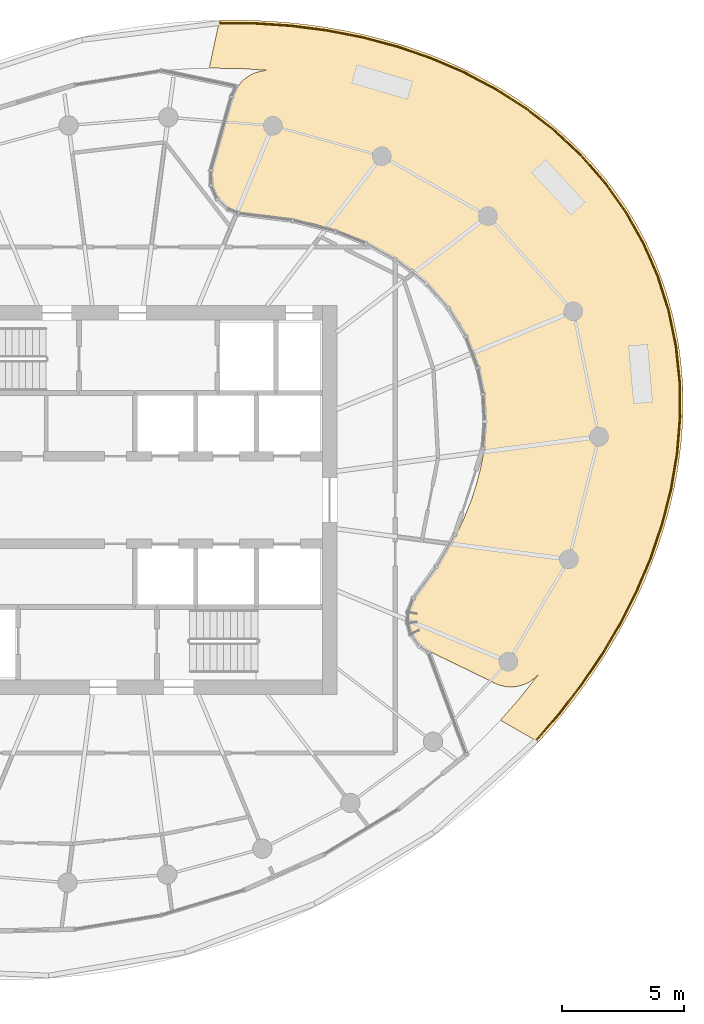
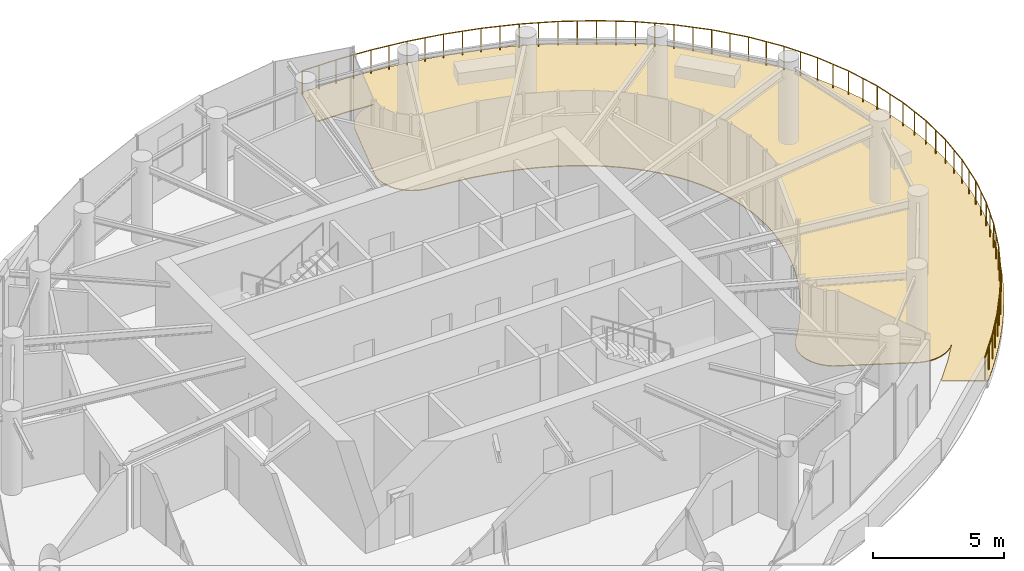
# One storey, part 18 of 19: 1 covering, 1 railing.
"""IFC4 building model written with IfcOpenShell, lengths in metres."""

import ifcopenshell
import ifcopenshell.guid

model = None  # the IFC model being written
_history = None  # IfcOwnerHistory: only IFC2X3 demands one
_inside = {}  # id of a spatial element -> (the spatial element, [elements in it])
_under = {}  # id of a project, library or spatial element -> (it, [spatial elements below it])
_declared = {}  # id of a project -> (the project, [libraries it declares])
_typed = {}  # id of a type object -> (the type object, [elements of that type])
_made_of = {}  # id of a material, layer set ... -> (it, [elements and type objects made of it])


def new_model(schema):
    """Start an empty IFC model of exactly this schema.

    Asked for "IFC4X3", IfcOpenShell would pick the latest addendum, in which some entities
    have other attributes; the version numbers below select the first issue.
    IFC2X3 requires an IfcOwnerHistory on every rooted entity: one is made here for all.
    """
    global model, _history
    if schema == "IFC4X3":
        model = ifcopenshell.file(schema_version=(4, 3, 0, 0))
    else:
        model = ifcopenshell.file(schema=schema)
    _inside.clear()
    _under.clear()
    _declared.clear()
    _typed.clear()
    _made_of.clear()
    _history = None
    if model.schema == "IFC2X3":
        org = make("IfcOrganization", Name="unknown")
        user = make(
            "IfcPersonAndOrganization",
            ThePerson=make("IfcPerson", FamilyName="unknown"),
            TheOrganization=org,
        )
        app = make(
            "IfcApplication",
            ApplicationDeveloper=org,
            Version="unknown",
            ApplicationFullName="unknown",
            ApplicationIdentifier="unknown",
        )
        _history = make(
            "IfcOwnerHistory",
            OwningUser=user,
            OwningApplication=app,
            ChangeAction="ADDED",
            CreationDate=0,
        )
    return model


def make(cls, **values):
    """One entity of the class cls with the attributes given. An attribute that is None is left unset."""
    return model.create_entity(
        cls, **{name: value for name, value in values.items() if value is not None}
    )


def rooted(cls, **values):
    """An entity with a GlobalId (a new one), such as an element, a storey or a relation."""
    return make(cls, GlobalId=ifcopenshell.guid.new(), OwnerHistory=_history, **values)


def si_unit(unit_type, name, prefix=None):
    """IfcSIUnit, for example si_unit("LENGTHUNIT", "METRE", prefix="MILLI")."""
    return make("IfcSIUnit", UnitType=unit_type, Prefix=prefix, Name=name)


def assignment(units):
    """IfcUnitAssignment: the units of a project."""
    return None if units is None else make("IfcUnitAssignment", Units=units)


def point(xyz):
    """IfcCartesianPoint."""
    return None if xyz is None else make("IfcCartesianPoint", Coordinates=xyz)


def direction(xyz):
    """IfcDirection."""
    return None if xyz is None else make("IfcDirection", DirectionRatios=xyz)


def frame(location, z_axis=None, x_axis=None):
    """IfcAxis2Placement3D, a coordinate frame: its origin and axes. An axis left out is left unset."""
    return make(
        "IfcAxis2Placement3D",
        Location=point(location),
        Axis=direction(z_axis),
        RefDirection=direction(x_axis),
    )


def frame_2d(location, x_axis=None):
    """IfcAxis2Placement2D, a coordinate frame in the plane: its origin and x axis."""
    return make(
        "IfcAxis2Placement2D", Location=point(location), RefDirection=direction(x_axis)
    )


def origin():
    """The frame at (0, 0, 0) with its axes left unset."""
    return frame((0.0, 0.0, 0.0))


def origin_2d():
    """The frame at (0, 0) in the plane with its x axis left unset."""
    return frame_2d((0.0, 0.0))


def place(relative_to, where):
    """IfcLocalPlacement: puts the frame where relative to a parent placement (None: the world)."""
    return make(
        "IfcLocalPlacement", PlacementRelTo=relative_to, RelativePlacement=where
    )


def context(
    kind, dimensions, precision=None, world=None, true_north=None, identifier=None
):
    """IfcGeometricRepresentationContext, for example the 3D "Model" context."""
    return make(
        "IfcGeometricRepresentationContext",
        ContextIdentifier=identifier,
        ContextType=kind,
        CoordinateSpaceDimension=dimensions,
        Precision=precision,
        WorldCoordinateSystem=world,
        TrueNorth=true_north,
    )


def subcontext(parent, identifier, kind, view, scale=None):
    """IfcGeometricRepresentationSubContext, for example "Body" below "Model"."""
    return make(
        "IfcGeometricRepresentationSubContext",
        ContextIdentifier=identifier,
        ContextType=kind,
        ParentContext=parent,
        TargetScale=scale,
        TargetView=view,
    )


def project(units=None, contexts=None):
    """IfcProject with its units and contexts."""
    return rooted(
        "IfcProject",
        Name="project",
        RepresentationContexts=contexts,
        UnitsInContext=assignment(units),
    )


def spatial(cls, under=None, at=None, **own):
    """A site, building, storey or space (cls), placed at a placement, below another one or the project."""
    s = rooted(cls, ObjectPlacement=at, **own)
    if under is not None:
        _under.setdefault(under.id(), (under, []))[1].append(s)
    return s


def point_list(points):
    """IfcCartesianPointList2D or 3D."""
    cls = (
        "IfcCartesianPointList2D" if len(points[0]) == 2 else "IfcCartesianPointList3D"
    )
    return make(cls, CoordList=points)


def line(*indices):
    """IfcLineIndex: a straight run through numbered points of an indexed curve."""
    return model.create_entity("IfcLineIndex", indices)


def indexed_curve(points, segments=None, self_intersect=None):
    """IfcIndexedPolyCurve: lines and arcs through numbered points (the first is 1)."""
    return make(
        "IfcIndexedPolyCurve",
        Points=point_list(points),
        Segments=segments,
        SelfIntersect=self_intersect,
    )


def profile(cls, at=None, kind="AREA", **sizes):
    """A parametric profile (cls). Its sizes go by their IFC names, for example OverallWidth=200.0."""
    return make(cls, ProfileType=kind, Position=at, **sizes)


def circle(**sizes):
    """IfcCircleProfileDef."""
    return profile("IfcCircleProfileDef", **sizes)


def outline(outer, holes=None, kind="AREA"):
    """IfcArbitraryClosedProfileDef: a profile drawn as a closed curve; with holes, ...WithVoids."""
    if holes is None:
        return make("IfcArbitraryClosedProfileDef", ProfileType=kind, OuterCurve=outer)
    return make(
        "IfcArbitraryProfileDefWithVoids",
        ProfileType=kind,
        OuterCurve=outer,
        InnerCurves=holes,
    )


def extrude(swept, where, along, depth):
    """IfcExtrudedAreaSolid: the profile swept, set in the frame where, extruded along a direction by depth."""
    return make(
        "IfcExtrudedAreaSolid",
        SweptArea=swept,
        Position=where,
        ExtrudedDirection=direction(along),
        Depth=depth,
    )


def shape(context_of_items, identifier, shape_type, items):
    """IfcShapeRepresentation: the items that make up one representation, for example the "Body"."""
    return make(
        "IfcShapeRepresentation",
        ContextOfItems=context_of_items,
        RepresentationIdentifier=identifier,
        RepresentationType=shape_type,
        Items=items,
    )


def material(Name=None, Category=None):
    """IfcMaterial."""
    return make("IfcMaterial", Name=Name, Category=Category)


def layer(
    of_material, thickness, ventilated=None, Name=None, Category=None, Priority=None
):
    """IfcMaterialLayer: one layer of a wall or slab, of a material (None: an air gap)."""
    return make(
        "IfcMaterialLayer",
        Material=of_material,
        LayerThickness=thickness,
        IsVentilated=ventilated,
        Name=Name,
        Category=Category,
        Priority=Priority,
    )


def layer_set(layers, Name=None):
    """IfcMaterialLayerSet."""
    return make("IfcMaterialLayerSet", MaterialLayers=layers, LayerSetName=Name)


def made_of(thing, what):
    """Note that an element or type object is made of a material, layer set ...; save() writes the relation."""
    if what is not None:
        _made_of.setdefault(what.id(), (what, []))[1].append(thing)
    return thing


def type_object(cls, material=None, **own):
    """A type object (cls), such as IfcWallType, which elements share."""
    return made_of(rooted(cls, **own), material)


def element(
    cls,
    number,
    at=None,
    inside=None,
    cuts=None,
    type_object=None,
    material=None,
    context=None,
    identifier="Body",
    shape_type=None,
    held_by="IfcProductDefinitionShape",
    body=None,
    shapes=None,
    **own,
):
    """One element of the class cls, such as IfcWall. Its Tag is "e" and its number.

    at: its placement. inside: the storey or other place that contains it. cuts: it is an
    opening in that element (IfcRelVoidsElement). A single representation is given by context,
    identifier, shape_type and body (its items); several are given by shapes. held_by: the class
    of the entity that holds the representations. save() writes the other relations.
    """
    e = rooted(cls, Tag="e%d" % number, ObjectPlacement=at, **own)
    if body is not None:
        shapes = [shape(context, identifier, shape_type, body)]
    if shapes is not None:
        e.Representation = make(held_by, Representations=shapes)
    if inside is not None:
        _inside.setdefault(inside.id(), (inside, []))[1].append(e)
    if cuts is not None:
        rooted(
            "IfcRelVoidsElement", RelatingBuildingElement=cuts, RelatedOpeningElement=e
        )
    if type_object is not None:
        _typed.setdefault(type_object.id(), (type_object, []))[1].append(e)
    return made_of(e, material)


def aggregate(whole, parts):
    """IfcRelAggregates: a whole, such as a stair, and the parts it consists of."""
    return rooted("IfcRelAggregates", RelatingObject=whole, RelatedObjects=parts)


def save(model, path):
    """Write the relations noted so far, then the file.

    IfcRelAggregates (storeys below a building ...), IfcRelContainedInSpatialStructure (elements
    in a storey), IfcRelDefinesByType, IfcRelAssociatesMaterial and IfcRelDeclares: one each for
    every whole, place, type object, material and project.
    """
    for whole, parts in _under.values():
        aggregate(whole, parts)
    for where, things in _inside.values():
        rooted(
            "IfcRelContainedInSpatialStructure",
            RelatedElements=things,
            RelatingStructure=where,
        )
    for kind, things in _typed.values():
        rooted("IfcRelDefinesByType", RelatedObjects=things, RelatingType=kind)
    for what, things in _made_of.values():
        rooted("IfcRelAssociatesMaterial", RelatedObjects=things, RelatingMaterial=what)
    for by, libraries in _declared.values():
        rooted("IfcRelDeclares", RelatingContext=by, RelatedDefinitions=libraries)
    model.write(path)


model = new_model("IFC4")

# Units and contexts
model_context = context("Model", 3, precision=1e-05, world=origin(), true_north=direction((0.0, 1.0)))
body_context = subcontext(model_context, "Body", "Model", "MODEL_VIEW")
ifc_project = project(units=[si_unit("LENGTHUNIT", "METRE"), si_unit("AREAUNIT", "SQUARE_METRE"), si_unit("VOLUMEUNIT", "CUBIC_METRE"), si_unit("PLANEANGLEUNIT", "RADIAN"), si_unit("MASSUNIT", "GRAM", prefix="KILO")], contexts=[model_context])

# Site, building, storey
site_placement = place(None, origin())
site = spatial("IfcSite", under=ifc_project, at=site_placement, CompositionType="ELEMENT")
building_placement = place(site_placement, origin())
building = spatial("IfcBuilding", under=site, at=building_placement, Name="Spindrift Exchange Tower", CompositionType="ELEMENT")
storey_placement = place(building_placement, frame((0.0, 0.0, 234.5)))
storey = spatial("IfcBuildingStorey", under=building, at=storey_placement, Name="L57", CompositionType="ELEMENT", Elevation=234.5)

# Covering
ifc_material_1 = material(Name="Hardwood timber decking on pedestals", Category="wood")
ifc_layer = layer(ifc_material_1, 0.0400390625)
ifc_layer_set = layer_set([ifc_layer], Name="TERRACE DECKING 40")
covering_type = type_object("IfcCoveringType", Name="TERRACE DECKING 40", PredefinedType="FLOORING", material=ifc_layer_set)
covering_placement = place(storey_placement, origin())
element("IfcCovering", 1, at=covering_placement, inside=storey, type_object=covering_type, Name="L57 Terrace Decking 1", PredefinedType="FLOORING", context=body_context, shape_type="SweptSolid", body=[
    extrude(outline(indexed_curve([(58.263671875, 65.6533203125), (57.001953125, 65.736328125), (55.8125, 65.751953125), (55.77734375, 65.765625), (55.763671875, 65.8115234375), (56.1728515625, 67.7109375), (56.20703125, 67.7255859375), (56.693359375, 67.73046875), (57.4423828125, 67.71875), (58.19140625, 67.6865234375), (58.9375, 67.630859375), (59.6826171875, 67.552734375), (60.4248046875, 67.4521484375), (61.5322265625, 67.255859375), (62.263671875, 67.09375), (62.98828125, 66.908203125), (64.064453125, 66.580078125), (64.7705078125, 66.330078125), (65.4658203125, 66.052734375), (66.4892578125, 65.5869140625), (67.154296875, 65.2421875), (67.8046875, 64.8701171875), (68.4384765625, 64.470703125), (69.052734375, 64.0439453125), (69.6494140625, 63.5888671875), (70.22265625, 63.107421875), (71.0390625, 62.333984375), (71.55078125, 61.7880859375), (72.0341796875, 61.2158203125), (72.48828125, 60.619140625), (72.9111328125, 60.001953125), (73.3017578125, 59.3623046875), (73.6572265625, 58.7041015625), (74.126953125, 57.681640625), (74.513671875, 56.6279296875), (74.818359375, 55.544921875), (75.0390625, 54.443359375), (75.1396484375, 53.701171875), (75.2041015625, 52.955078125), (75.234375, 51.8310546875), (75.2099609375, 51.083984375), (75.15234375, 50.3369140625), (75.0048828125, 49.2216796875), (74.8662109375, 48.486328125), (74.6982421875, 47.7568359375), (74.392578125, 46.6748046875), (74.154296875, 45.96484375), (73.888671875, 45.263671875), (73.599609375, 44.5732421875), (73.28515625, 43.8935546875), (72.9482421875, 43.224609375), (72.5888671875, 42.5673828125), (72.0107421875, 41.6025390625), (71.6005859375, 40.9765625), (71.1708984375, 40.361328125), (70.7236328125, 39.7607421875), (70.2587890625, 39.1728515625), (69.7783203125, 38.5986328125), (69.294921875, 38.0634765625), (69.2529296875, 38.0673828125), (67.77734375, 38.9169921875), (67.751953125, 38.9619140625), (67.765625, 38.994140625), (68.546875, 39.888671875), (69.328125, 40.8857421875), (69.1533203125, 40.697265625), (68.9189453125, 40.5244140625), (68.78125, 40.4521484375), (68.5087890625, 40.3564453125), (68.3564453125, 40.3271484375), (68.0654296875, 40.3154296875), (67.9130859375, 40.33203125), (67.630859375, 40.40625), (64.6630859375, 41.849609375), (64.4287109375, 42.0283203125), (64.232421875, 42.251953125), (64.083984375, 42.509765625), (63.9892578125, 42.7939453125), (63.9521484375, 43.0859375), (63.9736328125, 43.3779296875), (64.0078125, 43.5302734375), (64.11328125, 43.802734375), (64.2724609375, 44.0537109375), (64.6962890625, 44.609375), (64.9814453125, 45.0146484375), (65.3916015625, 45.6494140625), (65.896484375, 46.5498046875), (66.2412109375, 47.279296875), (66.53125, 48.009765625), (66.70703125, 48.541015625), (66.91015625, 49.3134765625), (67.013671875, 49.8525390625), (67.111328125, 50.671875), (67.134765625, 51.248046875), (67.1015625, 52.052734375), (67.0283203125, 52.62890625), (66.8564453125, 53.4130859375), (66.6806640625, 53.966796875), (66.3671875, 54.705078125), (66.0908203125, 55.2158203125), (65.7919921875, 55.681640625), (65.4599609375, 56.1240234375), (65.0966796875, 56.5419921875), (64.7060546875, 56.9345703125), (64.291015625, 57.298828125), (63.853515625, 57.63671875), (63.3984375, 57.9462890625), (62.7060546875, 58.349609375), (62.2001953125, 58.6005859375), (61.470703125, 58.908203125), (60.951171875, 59.0927734375), (60.1943359375, 59.3173828125), (59.689453125, 59.439453125), (58.9365234375, 59.5859375), (58.193359375, 59.69140625), (57.1083984375, 59.7900390625), (56.8203125, 59.8662109375), (56.5517578125, 59.9990234375), (56.31640625, 60.1806640625), (56.1201171875, 60.4072265625), (55.97265625, 60.6689453125), (55.8828125, 60.9443359375), (55.8564453125, 61.095703125), (55.8505859375, 61.3876953125), (55.8701171875, 61.541015625), (56.7265625, 64.56640625), (56.833984375, 64.83984375), (56.912109375, 64.974609375), (57.09375, 65.2021484375), (57.2060546875, 65.306640625), (57.4462890625, 65.470703125), (57.583984375, 65.5380859375), (57.8623046875, 65.625), (58.013671875, 65.6484375)], segments=[line(1, 2, 3, 4, 5, 6, 7, 8, 9, 10, 11, 12, 13, 14, 15, 16, 17, 18, 19, 20, 21, 22, 23, 24, 25, 26, 27, 28, 29, 30, 31, 32, 33, 34, 35, 36, 37, 38, 39, 40, 41, 42, 43, 44, 45, 46, 47, 48, 49, 50, 51, 52, 53, 54, 55, 56, 57, 58, 59, 60, 61, 62, 63, 64, 65, 66, 67, 68, 69, 70, 71, 72, 73, 74, 75, 76, 77, 78, 79, 80, 81, 82, 83, 84, 85, 86, 87, 88, 89, 90, 91, 92, 93, 94, 95, 96, 97, 98, 99, 100, 101, 102, 103, 104, 105, 106, 107, 108, 109, 110, 111, 112, 113, 114, 115, 116, 117, 118, 119, 120, 121, 122, 123, 124, 125, 126, 127, 128, 129, 130, 131, 132, 133, 134, 1)], self_intersect=False)), origin(), (0.0, 0.0, 1.0), 0.0400390625),
])

# Railing
ifc_material_2 = material(Name="Bronze anodised aluminium balustrade", Category="aluminium")
railing_type = type_object("IfcRailingType", Name="TERRACE GUARDRAIL 1150", PredefinedType="GUARDRAIL", material=ifc_material_2)
railing_placement = place(storey_placement, frame((56.16015625, 67.6044921875, 0.0)))
element("IfcRailing", 2, at=railing_placement, inside=storey, type_object=railing_type, Name="L57 Sky Garden Guardrail 1", PredefinedType="GUARDRAIL", context=body_context, shape_type="SweptSolid", body=[
    extrude(circle(Radius=0.02392578125, at=origin_2d()), frame((0.0, 0.0, 1.1259765625), z_axis=(0.99996328347, -0.008569230511, 0.0), x_axis=(0.008569230511, 0.99996328347, 0.0)), (0.0, 0.0, 1.0), 1.4814453125),
    extrude(circle(Radius=0.02392578125, at=origin_2d()), frame((1.4814453125, -0.0126953125, 1.1259765625), z_axis=(0.997769817055, -0.066748724134, 0.0), x_axis=(0.066748724134, 0.997769817055, 0.0)), (0.0, 0.0, 1.0), 1.4814453125),
    extrude(circle(Radius=0.02392578125, at=origin_2d()), frame((2.95947265625, -0.111572265625, 1.1259765625), z_axis=(0.991830414198, -0.127563433132, 0.0), x_axis=(0.127563433132, 0.991830414198, 0.0)), (0.0, 0.0, 1.0), 1.4814453125),
    extrude(circle(Radius=0.02392578125, at=origin_2d()), frame((4.4287109375, -0.300537109375, 1.1259765625), z_axis=(0.981649685141, -0.190693197735, 0.0), x_axis=(0.190693197735, 0.981649685141, 0.0)), (0.0, 0.0, 1.0), 1.481201171875),
    extrude(circle(Radius=0.02392578125, at=origin_2d()), frame((5.8828125, -0.5830078125, 1.1259765625), z_axis=(0.966551552001, -0.256472410456, 0.0), x_axis=(0.256472410456, 0.966551552001, 0.0)), (0.0, 0.0, 1.0), 1.481201171875),
    extrude(circle(Radius=0.02392578125, at=origin_2d()), frame((7.314453125, -0.962890625, 1.1259765625), z_axis=(0.945759414764, -0.3248678645, 0.0), x_axis=(0.3248678645, 0.945759414764, 0.0)), (0.0, 0.0, 1.0), 1.481201171875),
    extrude(circle(Radius=0.02392578125, at=origin_2d()), frame((8.71533203125, -1.444091796875, 1.1259765625), z_axis=(0.918632694032, -0.395112608576, 0.0), x_axis=(0.395112608576, 0.918632694032, 0.0)), (0.0, 0.0, 1.0), 1.481201171875),
    extrude(circle(Radius=0.02392578125, at=origin_2d()), frame((10.075927734375, -2.029296875, 1.1259765625), z_axis=(0.884044353572, -0.46740301766, 0.0), x_axis=(0.46740301766, 0.884044353572, 0.0)), (0.0, 0.0, 1.0), 1.4814453125),
    extrude(circle(Radius=0.02392578125, at=origin_2d()), frame((11.385498046875, -2.7216796875, 1.1259765625), z_axis=(0.841414071034, -0.540390933552, 0.0), x_axis=(0.540390933552, 0.841414071034, 0.0)), (0.0, 0.0, 1.0), 1.48095703125),
    extrude(circle(Radius=0.02392578125, at=origin_2d()), frame((12.631591796875, -3.52197265625, 1.1259765625), z_axis=(0.789636183807, -0.613575339484, 0.0), x_axis=(0.613575339484, 0.789636183807, 0.0)), (0.0, 0.0, 1.0), 1.48095703125),
    extrude(circle(Radius=0.02392578125, at=origin_2d()), frame((13.801025390625, -4.4306640625, 1.1259765625), z_axis=(0.728853058132, -0.684670153907, 0.0), x_axis=(0.684670153907, 0.728853058132, 0.0)), (0.0, 0.0, 1.0), 1.48095703125),
    extrude(circle(Radius=0.02392578125, at=origin_2d()), frame((14.88037109375, -5.444580078125, 1.1259765625), z_axis=(0.65821280321, -0.752831923932, 0.0), x_axis=(0.752831923932, 0.65821280321, 0.0)), (0.0, 0.0, 1.0), 1.48095703125),
    extrude(circle(Radius=0.02392578125, at=origin_2d()), frame((15.855224609375, -6.5595703125, 1.1259765625), z_axis=(0.578959183006, -0.815356525953, 0.0), x_axis=(0.815356525953, 0.578959183006, 0.0)), (0.0, 0.0, 1.0), 1.48095703125),
    extrude(circle(Radius=0.02392578125, at=origin_2d()), frame((16.712646484375, -7.76708984375, 1.1259765625), z_axis=(0.491497566188, -0.870878948207, 0.0), x_axis=(0.870878948207, 0.491497566188, 0.0)), (0.0, 0.0, 1.0), 1.480712890625),
    extrude(circle(Radius=0.02392578125, at=origin_2d()), frame((17.4404296875, -9.056640625, 1.1259765625), z_axis=(0.398292042119, -0.917258659913, 0.0), x_axis=(0.917258659913, 0.398292042119, 0.0)), (0.0, 0.0, 1.0), 1.48095703125),
    extrude(circle(Radius=0.02392578125, at=origin_2d()), frame((18.0302734375, -10.4150390625, 1.1259765625), z_axis=(0.300855217539, -0.953669826554, 0.0), x_axis=(0.953669826554, 0.300855217539, 0.0)), (0.0, 0.0, 1.0), 1.48095703125),
    extrude(circle(Radius=0.02392578125, at=origin_2d()), frame((18.475830078125, -11.827392578125, 1.1259765625), z_axis=(0.202136711745, -0.979357314653, 0.0), x_axis=(0.979357314653, 0.202136711745, 0.0)), (0.0, 0.0, 1.0), 1.480712890625),
    extrude(circle(Radius=0.02392578125, at=origin_2d()), frame((18.775146484375, -13.277587890625, 1.1259765625), z_axis=(0.104023983399, -0.994574788982, 0.0), x_axis=(0.994574788982, 0.104023983399, 0.0)), (0.0, 0.0, 1.0), 1.48095703125),
    extrude(circle(Radius=0.02392578125, at=origin_2d()), frame((18.92919921875, -14.75048828125, 1.1259765625), z_axis=(0.008900257321, -0.999960391925, 0.0), x_axis=(0.999960391925, 0.008900257321, 0.0)), (0.0, 0.0, 1.0), 1.481201171875),
    extrude(circle(Radius=0.02392578125, at=origin_2d()), frame((18.9423828125, -16.231689453125, 1.1259765625), z_axis=(-0.081926771552, -0.996638351712, 0.0), x_axis=(0.996638351712, -0.081926771552, 0.0)), (0.0, 0.0, 1.0), 1.48095703125),
    extrude(circle(Radius=0.02392578125, at=origin_2d()), frame((18.821044921875, -17.707763671875, 1.1259765625), z_axis=(-0.167659584168, -0.985844949187, 0.0), x_axis=(0.985844949187, -0.167659584168, 0.0)), (0.0, 0.0, 1.0), 1.48095703125),
    extrude(circle(Radius=0.02392578125, at=origin_2d()), frame((18.57275390625, -19.167724609375, 1.1259765625), z_axis=(-0.247534668039, -0.968879036887, 0.0), x_axis=(0.968879036887, -0.247534668039, 0.0)), (0.0, 0.0, 1.0), 1.4814453125),
    extrude(circle(Radius=0.02392578125, at=origin_2d()), frame((18.2060546875, -20.60302734375, 1.1259765625), z_axis=(-0.321267308399, -0.946988551438, 0.0), x_axis=(0.946988551438, -0.321267308399, 0.0)), (0.0, 0.0, 1.0), 1.481201171875),
    extrude(circle(Radius=0.02392578125, at=origin_2d()), frame((17.730224609375, -22.005615234375, 1.1259765625), z_axis=(-0.38933884218, -0.921094602074, 0.0), x_axis=(0.921094602074, -0.38933884218, 0.0)), (0.0, 0.0, 1.0), 1.481201171875),
    extrude(circle(Radius=0.02392578125, at=origin_2d()), frame((17.153564453125, -23.369873046875, 1.1259765625), z_axis=(-0.451821431142, -0.892108398324, 0.0), x_axis=(0.892108398324, -0.451821431142, 0.0)), (0.0, 0.0, 1.0), 1.481689453125),
    extrude(circle(Radius=0.02392578125, at=origin_2d()), frame((16.484130859375, -24.691650390625, 1.1259765625), z_axis=(-0.508934742857, -0.860805104256, 0.0), x_axis=(0.860805104256, -0.508934742857, 0.0)), (0.0, 0.0, 1.0), 1.4814453125),
    extrude(circle(Radius=0.02392578125, at=origin_2d()), frame((15.730224609375, -25.966796875, 1.1259765625), z_axis=(-0.561376465522, -0.827560550025, 0.0), x_axis=(0.827560550025, -0.561376465522, 0.0)), (0.0, 0.0, 1.0), 1.481201171875),
    extrude(circle(Radius=0.02392578125, at=origin_2d()), frame((14.898681640625, -27.192626953125, 1.1259765625), z_axis=(-0.609240778436, -0.792985292355, 0.0), x_axis=(0.792985292355, -0.609240778436, 0.0)), (0.0, 0.0, 1.0), 1.4814453125),
    extrude(circle(Radius=0.02392578125, at=origin_2d()), frame((13.99609375, -28.367431640625, 1.1259765625), z_axis=(-0.653285126483, -0.757111975546, 0.0), x_axis=(0.757111975546, -0.653285126483, 0.0)), (0.0, 0.0, 1.0), 1.4814453125),
    extrude(circle(Radius=0.02099609375, at=origin_2d()), origin(), (0.0, 0.0, 1.0), 1.101806640625),
    extrude(circle(Radius=0.02099609375, at=origin_2d()), frame((0.74072265625, -0.00634765625, 0.0)), (0.0, 0.0, 1.0), 1.101806640625),
    extrude(circle(Radius=0.02099609375, at=origin_2d()), frame((1.4814453125, -0.0126953125, 0.0)), (0.0, 0.0, 1.0), 1.101806640625),
    extrude(circle(Radius=0.02099609375, at=origin_2d()), frame((2.220458984375, -0.06201171875, 0.0)), (0.0, 0.0, 1.0), 1.101806640625),
    extrude(circle(Radius=0.02099609375, at=origin_2d()), frame((2.95947265625, -0.111572265625, 0.0)), (0.0, 0.0, 1.0), 1.101806640625),
    extrude(circle(Radius=0.02099609375, at=origin_2d()), frame((3.694091796875, -0.2060546875, 0.0)), (0.0, 0.0, 1.0), 1.101806640625),
    extrude(circle(Radius=0.02099609375, at=origin_2d()), frame((4.4287109375, -0.300537109375, 0.0)), (0.0, 0.0, 1.0), 1.101806640625),
    extrude(circle(Radius=0.02099609375, at=origin_2d()), frame((5.15576171875, -0.44189453125, 0.0)), (0.0, 0.0, 1.0), 1.101806640625),
    extrude(circle(Radius=0.02099609375, at=origin_2d()), frame((5.8828125, -0.5830078125, 0.0)), (0.0, 0.0, 1.0), 1.101806640625),
    extrude(circle(Radius=0.02099609375, at=origin_2d()), frame((6.5986328125, -0.77294921875, 0.0)), (0.0, 0.0, 1.0), 1.101806640625),
    extrude(circle(Radius=0.02099609375, at=origin_2d()), frame((7.314453125, -0.962890625, 0.0)), (0.0, 0.0, 1.0), 1.101806640625),
    extrude(circle(Radius=0.02099609375, at=origin_2d()), frame((8.014892578125, -1.20361328125, 0.0)), (0.0, 0.0, 1.0), 1.101806640625),
    extrude(circle(Radius=0.02099609375, at=origin_2d()), frame((8.71533203125, -1.444091796875, 0.0)), (0.0, 0.0, 1.0), 1.101806640625),
    extrude(circle(Radius=0.02099609375, at=origin_2d()), frame((9.3955078125, -1.73681640625, 0.0)), (0.0, 0.0, 1.0), 1.101806640625),
    extrude(circle(Radius=0.02099609375, at=origin_2d()), frame((10.075927734375, -2.029296875, 0.0)), (0.0, 0.0, 1.0), 1.101806640625),
    extrude(circle(Radius=0.02099609375, at=origin_2d()), frame((10.730712890625, -2.37548828125, 0.0)), (0.0, 0.0, 1.0), 1.101806640625),
    extrude(circle(Radius=0.02099609375, at=origin_2d()), frame((11.385498046875, -2.7216796875, 0.0)), (0.0, 0.0, 1.0), 1.101806640625),
    extrude(circle(Radius=0.02099609375, at=origin_2d()), frame((12.008544921875, -3.121826171875, 0.0)), (0.0, 0.0, 1.0), 1.101806640625),
    extrude(circle(Radius=0.02099609375, at=origin_2d()), frame((12.631591796875, -3.52197265625, 0.0)), (0.0, 0.0, 1.0), 1.101806640625),
    extrude(circle(Radius=0.02099609375, at=origin_2d()), frame((13.21630859375, -3.976318359375, 0.0)), (0.0, 0.0, 1.0), 1.101806640625),
    extrude(circle(Radius=0.02099609375, at=origin_2d()), frame((13.801025390625, -4.4306640625, 0.0)), (0.0, 0.0, 1.0), 1.101806640625),
    extrude(circle(Radius=0.02099609375, at=origin_2d()), frame((14.3408203125, -4.9375, 0.0)), (0.0, 0.0, 1.0), 1.101806640625),
    extrude(circle(Radius=0.02099609375, at=origin_2d()), frame((14.88037109375, -5.444580078125, 0.0)), (0.0, 0.0, 1.0), 1.101806640625),
    extrude(circle(Radius=0.02099609375, at=origin_2d()), frame((15.36767578125, -6.001953125, 0.0)), (0.0, 0.0, 1.0), 1.101806640625),
    extrude(circle(Radius=0.02099609375, at=origin_2d()), frame((15.855224609375, -6.5595703125, 0.0)), (0.0, 0.0, 1.0), 1.101806640625),
    extrude(circle(Radius=0.02099609375, at=origin_2d()), frame((16.283935546875, -7.163330078125, 0.0)), (0.0, 0.0, 1.0), 1.101806640625),
    extrude(circle(Radius=0.02099609375, at=origin_2d()), frame((16.712646484375, -7.76708984375, 0.0)), (0.0, 0.0, 1.0), 1.101806640625),
    extrude(circle(Radius=0.02099609375, at=origin_2d()), frame((17.07666015625, -8.411865234375, 0.0)), (0.0, 0.0, 1.0), 1.101806640625),
    extrude(circle(Radius=0.02099609375, at=origin_2d()), frame((17.4404296875, -9.056640625, 0.0)), (0.0, 0.0, 1.0), 1.101806640625),
    extrude(circle(Radius=0.02099609375, at=origin_2d()), frame((17.7353515625, -9.73583984375, 0.0)), (0.0, 0.0, 1.0), 1.101806640625),
    extrude(circle(Radius=0.02099609375, at=origin_2d()), frame((18.0302734375, -10.4150390625, 0.0)), (0.0, 0.0, 1.0), 1.101806640625),
    extrude(circle(Radius=0.02099609375, at=origin_2d()), frame((18.2529296875, -11.12109375, 0.0)), (0.0, 0.0, 1.0), 1.101806640625),
    extrude(circle(Radius=0.02099609375, at=origin_2d()), frame((18.475830078125, -11.827392578125, 0.0)), (0.0, 0.0, 1.0), 1.101806640625),
    extrude(circle(Radius=0.02099609375, at=origin_2d()), frame((18.62548828125, -12.552490234375, 0.0)), (0.0, 0.0, 1.0), 1.101806640625),
    extrude(circle(Radius=0.02099609375, at=origin_2d()), frame((18.775146484375, -13.277587890625, 0.0)), (0.0, 0.0, 1.0), 1.101806640625),
    extrude(circle(Radius=0.02099609375, at=origin_2d()), frame((18.85205078125, -14.01416015625, 0.0)), (0.0, 0.0, 1.0), 1.101806640625),
    extrude(circle(Radius=0.02099609375, at=origin_2d()), frame((18.92919921875, -14.75048828125, 0.0)), (0.0, 0.0, 1.0), 1.101806640625),
    extrude(circle(Radius=0.02099609375, at=origin_2d()), frame((18.935791015625, -15.4912109375, 0.0)), (0.0, 0.0, 1.0), 1.101806640625),
    extrude(circle(Radius=0.02099609375, at=origin_2d()), frame((18.9423828125, -16.231689453125, 0.0)), (0.0, 0.0, 1.0), 1.101806640625),
    extrude(circle(Radius=0.02099609375, at=origin_2d()), frame((18.8818359375, -16.9697265625, 0.0)), (0.0, 0.0, 1.0), 1.101806640625),
    extrude(circle(Radius=0.02099609375, at=origin_2d()), frame((18.821044921875, -17.707763671875, 0.0)), (0.0, 0.0, 1.0), 1.101806640625),
    extrude(circle(Radius=0.02099609375, at=origin_2d()), frame((18.69677734375, -18.437744140625, 0.0)), (0.0, 0.0, 1.0), 1.101806640625),
    extrude(circle(Radius=0.02099609375, at=origin_2d()), frame((18.57275390625, -19.167724609375, 0.0)), (0.0, 0.0, 1.0), 1.101806640625),
    extrude(circle(Radius=0.02099609375, at=origin_2d()), frame((18.389404296875, -19.88525390625, 0.0)), (0.0, 0.0, 1.0), 1.101806640625),
    extrude(circle(Radius=0.02099609375, at=origin_2d()), frame((18.2060546875, -20.60302734375, 0.0)), (0.0, 0.0, 1.0), 1.101806640625),
    extrude(circle(Radius=0.02099609375, at=origin_2d()), frame((17.96826171875, -21.30419921875, 0.0)), (0.0, 0.0, 1.0), 1.101806640625),
    extrude(circle(Radius=0.02099609375, at=origin_2d()), frame((17.730224609375, -22.005615234375, 0.0)), (0.0, 0.0, 1.0), 1.101806640625),
    extrude(circle(Radius=0.02099609375, at=origin_2d()), frame((17.44189453125, -22.687744140625, 0.0)), (0.0, 0.0, 1.0), 1.101806640625),
    extrude(circle(Radius=0.02099609375, at=origin_2d()), frame((17.153564453125, -23.369873046875, 0.0)), (0.0, 0.0, 1.0), 1.101806640625),
    extrude(circle(Radius=0.02099609375, at=origin_2d()), frame((16.81884765625, -24.03076171875, 0.0)), (0.0, 0.0, 1.0), 1.101806640625),
    extrude(circle(Radius=0.02099609375, at=origin_2d()), frame((16.484130859375, -24.691650390625, 0.0)), (0.0, 0.0, 1.0), 1.101806640625),
    extrude(circle(Radius=0.02099609375, at=origin_2d()), frame((16.107177734375, -25.3291015625, 0.0)), (0.0, 0.0, 1.0), 1.101806640625),
    extrude(circle(Radius=0.02099609375, at=origin_2d()), frame((15.730224609375, -25.966796875, 0.0)), (0.0, 0.0, 1.0), 1.101806640625),
    extrude(circle(Radius=0.02099609375, at=origin_2d()), frame((15.314453125, -26.57958984375, 0.0)), (0.0, 0.0, 1.0), 1.101806640625),
    extrude(circle(Radius=0.02099609375, at=origin_2d()), frame((14.898681640625, -27.192626953125, 0.0)), (0.0, 0.0, 1.0), 1.101806640625),
    extrude(circle(Radius=0.02099609375, at=origin_2d()), frame((14.447265625, -27.780029296875, 0.0)), (0.0, 0.0, 1.0), 1.101806640625),
    extrude(circle(Radius=0.02099609375, at=origin_2d()), frame((13.99609375, -28.367431640625, 0.0)), (0.0, 0.0, 1.0), 1.101806640625),
    extrude(circle(Radius=0.02099609375, at=origin_2d()), frame((13.51220703125, -28.92822265625, 0.0)), (0.0, 0.0, 1.0), 1.101806640625),
    extrude(circle(Radius=0.02099609375, at=origin_2d()), frame((13.0283203125, -29.489013671875, 0.0)), (0.0, 0.0, 1.0), 1.101806640625),
])

save(model, "model.ifc")
